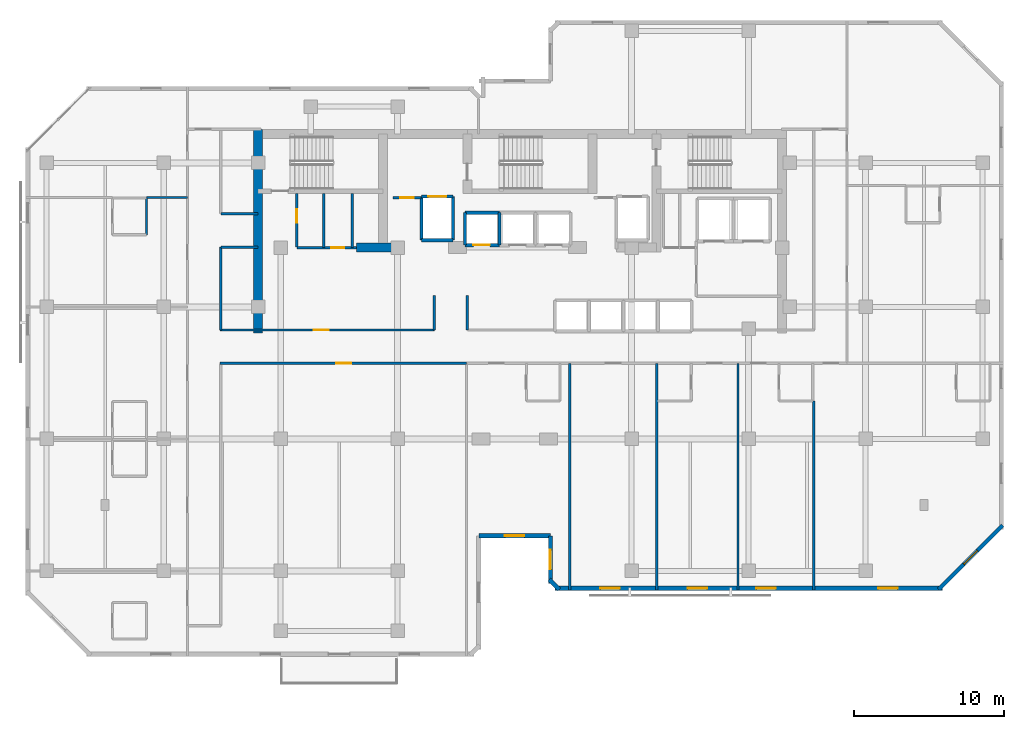
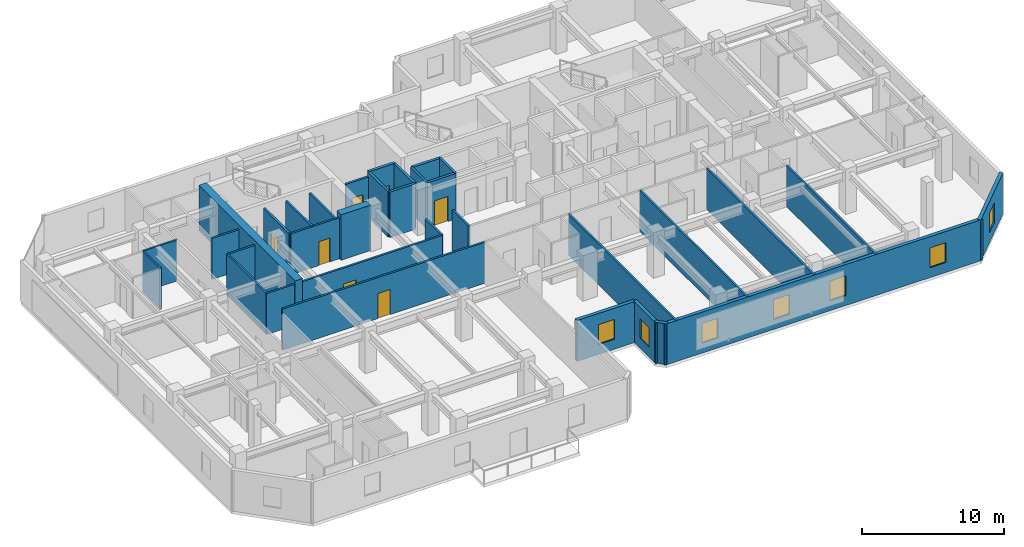
# One storey, part 5 of 10: 33 walls, 7 doors, 7 windows, 14 openings.
"""IFC4 building model written with IfcOpenShell, lengths in metres."""

from ifc_helpers import new_model, si_unit, direction, frame, frame_2d, origin, place, context, subcontext, project, spatial, rectangle, extrude, material, layer, layer_set, type_object, element, fill, save


model = new_model("IFC4")

# Units and contexts
model_context = context("Model", 3, precision=1e-05, world=origin(), true_north=direction((0.0, 1.0)))
body_context = subcontext(model_context, "Body", "Model", "MODEL_VIEW")
ifc_project = project(units=[si_unit("LENGTHUNIT", "METRE"), si_unit("AREAUNIT", "SQUARE_METRE"), si_unit("VOLUMEUNIT", "CUBIC_METRE"), si_unit("PLANEANGLEUNIT", "RADIAN"), si_unit("MASSUNIT", "GRAM", prefix="KILO")], contexts=[model_context])

# Site, building, storey
site_placement = place(None, origin())
site = spatial("IfcSite", under=ifc_project, at=site_placement, CompositionType="ELEMENT")
building_placement = place(site_placement, origin())
building = spatial("IfcBuilding", under=site, at=building_placement, Name="Kestravale Grand Hotel", CompositionType="ELEMENT")
storey_placement = place(building_placement, frame((0.0, 0.0, 236.5)))
storey = spatial("IfcBuildingStorey", under=building, at=storey_placement, Name="L59", CompositionType="ELEMENT", Elevation=236.5)

# Walls
ifc_material_1 = material(Name="Concrete f'c 50 MPa", Category="concrete")
ifc_layer_1 = layer(ifc_material_1, 0.60009765625)
ifc_layer_set_1 = layer_set([ifc_layer_1], Name="EW-CORE-600")
wall_type_1 = type_object("IfcWallType", Name="EW-CORE-600", PredefinedType="SHEAR", material=ifc_layer_set_1)
wall_1_placement = place(storey_placement, frame((21.89990234375, 27.050048828125, 0.0), z_axis=(0.0, 0.0, 1.0), x_axis=(0.0, 1.0, 0.0)))
element("IfcWall", 1, at=wall_1_placement, inside=storey, type_object=wall_type_1, Name="L59 core shear wall W1", PredefinedType="SHEAR", context=body_context, shape_type="SweptSolid", body=[
    extrude(rectangle(XDim=13.570068359375, YDim=0.60009765625, at=frame_2d((6.78515625, 0.0))), origin(), (0.0, 0.0, 1.0), 3.89990234375),
])
wall_2_placement = place(storey_placement, frame((28.449951171875, 32.75, 0.0), z_axis=(0.0, 0.0, 1.0), x_axis=(1.0, 0.0, 0.0)))
element("IfcWall", 2, at=wall_2_placement, inside=storey, type_object=wall_type_1, Name="L59 core shear wall S1", PredefinedType="SHEAR", context=body_context, shape_type="SweptSolid", body=[
    extrude(rectangle(XDim=2.400146484375, YDim=0.60009765625, at=frame_2d((1.2001953125, 0.0))), origin(), (0.0, 0.0, 1.0), 3.89990234375),
])

# Wall, opening, window
ifc_material_2 = material(Name="Precast concrete f'c 45 MPa", Category="concrete")
ifc_layer_2 = layer(ifc_material_2, 0.280029296875)
ifc_layer_set_2 = layer_set([ifc_layer_2], Name="EW-PREC-280")
wall_type_2 = type_object("IfcWallType", Name="EW-PREC-280", PredefinedType="SOLIDWALL", material=ifc_layer_set_2)
wall_3_placement = place(storey_placement, frame((36.610107421875, 13.5400390625, 0.0), z_axis=(0.0, 0.0, 1.0), x_axis=(1.0, 0.0, 0.0)))
wall_3 = element("IfcWall", 3, at=wall_3_placement, inside=storey, type_object=wall_type_2, Name="L59 fluted precast facade wall 4", PredefinedType="SOLIDWALL", context=body_context, shape_type="SweptSolid", body=[
    extrude(rectangle(XDim=4.77978515625, YDim=0.280029296875, at=frame_2d((2.389892578125, 0.0))), origin(), (0.0, 0.0, 1.0), 3.52001953125),
])
opening_1_placement = place(wall_3_placement, frame((1.739990234375, 0.0, 0.85009765625)))
opening_1 = element("IfcOpeningElement", 4, at=opening_1_placement, cuts=wall_3, Name="Opening W-GUEST-1300", PredefinedType="OPENING", context=body_context, shape_type="SweptSolid", body=[
    extrude(rectangle(XDim=1.300048828125, YDim=1.699951171875, at=frame_2d((0.64990234375, 0.85009765625))), frame((0.0, 0.14990234375, 0.0), z_axis=(0.0, -1.0, 0.0), x_axis=(1.0, 0.0, 0.0)), (0.0, 0.0, 1.0), 0.300048828125),
])
ifc_material_3 = material(Name="Insulated low-E double glazing in aluminium frame", Category="aluminium")
window_type = type_object("IfcWindowType", Name="W-GUEST-1300", PartitioningType="SINGLE_PANEL", PredefinedType="WINDOW", material=ifc_material_3)
window_1_placement = place(opening_1_placement, origin())
window_1 = element("IfcWindow", 5, at=window_1_placement, inside=storey, type_object=window_type, Name="L59 exterior window 4.1", OverallHeight=1.699951171875, OverallWidth=1.300048828125, PartitioningType="SINGLE_PANEL", PredefinedType="WINDOW", context=body_context, shape_type="SweptSolid", body=[
    extrude(rectangle(XDim=1.300048828125, YDim=1.699951171875, at=frame_2d((0.64990234375, 0.85009765625))), frame((0.0, 0.030029296875, 0.0), z_axis=(0.0, -1.0, 0.0), x_axis=(1.0, 0.0, 0.0)), (0.0, 0.0, 1.0), 0.06005859375),
])
fill(opening_1, window_1)

wall_4_placement = place(storey_placement, frame((41.389892578125, 13.5400390625, 0.0), z_axis=(0.0, 0.0, 1.0), x_axis=(0.0, -1.0, 0.0)))
wall_4 = element("IfcWall", 6, at=wall_4_placement, inside=storey, type_object=wall_type_2, Name="L59 fluted precast facade wall 5", PredefinedType="SOLIDWALL", context=body_context, shape_type="SweptSolid", body=[
    extrude(rectangle(XDim=3.179931640625, YDim=0.280029296875, at=frame_2d((1.58984375, 0.0))), origin(), (0.0, 0.0, 1.0), 3.52001953125),
])
opening_2_placement = place(wall_4_placement, frame((0.93994140625, 0.0, 0.85009765625)))
opening_2 = element("IfcOpeningElement", 7, at=opening_2_placement, cuts=wall_4, Name="Opening W-GUEST-1300", PredefinedType="OPENING", context=body_context, shape_type="SweptSolid", body=[
    extrude(rectangle(XDim=1.300048828125, YDim=1.699951171875, at=frame_2d((0.64990234375, 0.85009765625))), frame((0.0, 0.14990234375, 0.0), z_axis=(0.0, -1.0, 0.0), x_axis=(1.0, 0.0, 0.0)), (0.0, 0.0, 1.0), 0.300048828125),
])
window_2_placement = place(opening_2_placement, origin())
window_2 = element("IfcWindow", 8, at=window_2_placement, inside=storey, type_object=window_type, Name="L59 exterior window 5.1", OverallHeight=1.699951171875, OverallWidth=1.300048828125, PartitioningType="SINGLE_PANEL", PredefinedType="WINDOW", context=body_context, shape_type="SweptSolid", body=[
    extrude(rectangle(XDim=1.300048828125, YDim=1.699951171875, at=frame_2d((0.64990234375, 0.85009765625))), frame((0.0, 0.030029296875, 0.0), z_axis=(0.0, -1.0, 0.0), x_axis=(1.0, 0.0, 0.0)), (0.0, 0.0, 1.0), 0.06005859375),
])
fill(opening_2, window_2)

# Wall
wall_5_placement = place(storey_placement, frame((41.32080078125, 10.627197265625, 0.0), z_axis=(0.0, 0.0, 1.0), x_axis=(0.707106781187, -0.707106781187, 0.0)))
element("IfcWall", 9, at=wall_5_placement, inside=storey, type_object=wall_type_2, Name="L59 fluted precast facade wall 6", PredefinedType="SOLIDWALL", context=body_context, shape_type="SweptSolid", body=[
    extrude(rectangle(XDim=0.928466796875, YDim=0.280029296875, at=frame_2d((0.46435546875, 0.0))), origin(), (0.0, 0.0, 1.0), 3.52001953125),
])

# Wall, openings, windows
wall_6_placement = place(storey_placement, frame((41.7099609375, 10.0400390625, 0.0), z_axis=(0.0, 0.0, 1.0), x_axis=(1.0, 0.0, 0.0)))
wall_6 = element("IfcWall", 10, at=wall_6_placement, inside=storey, type_object=wall_type_2, Name="L59 fluted precast facade wall 7", PredefinedType="SOLIDWALL", context=body_context, shape_type="SweptSolid", body=[
    extrude(rectangle(XDim=25.830078125, YDim=0.280029296875, at=frame_2d((12.9150390625, 0.0))), origin(), (0.0, 0.0, 1.0), 3.52001953125),
])
opening_3_placement = place(wall_6_placement, frame((3.0048828125, 0.0, 0.85009765625)))
opening_3 = element("IfcOpeningElement", 11, at=opening_3_placement, cuts=wall_6, Name="Opening W-GUEST-1300", PredefinedType="OPENING", context=body_context, shape_type="SweptSolid", body=[
    extrude(rectangle(XDim=1.300048828125, YDim=1.699951171875, at=frame_2d((0.64990234375, 0.85009765625))), frame((0.0, 0.14990234375, 0.0), z_axis=(0.0, -1.0, 0.0), x_axis=(1.0, 0.0, 0.0)), (0.0, 0.0, 1.0), 0.300048828125),
])
opening_4_placement = place(wall_6_placement, frame((13.4150390625, 0.0, 0.85009765625)))
opening_4 = element("IfcOpeningElement", 12, at=opening_4_placement, cuts=wall_6, Name="Opening W-GUEST-1300", PredefinedType="OPENING", context=body_context, shape_type="SweptSolid", body=[
    extrude(rectangle(XDim=1.300048828125, YDim=1.699951171875, at=frame_2d((0.64990234375, 0.85009765625))), frame((0.0, 0.14990234375, 0.0), z_axis=(0.0, -1.0, 0.0), x_axis=(1.0, 0.0, 0.0)), (0.0, 0.0, 1.0), 0.300048828125),
])
opening_5_placement = place(wall_6_placement, frame((21.52490234375, 0.0, 0.85009765625)))
opening_5 = element("IfcOpeningElement", 13, at=opening_5_placement, cuts=wall_6, Name="Opening W-GUEST-1300", PredefinedType="OPENING", context=body_context, shape_type="SweptSolid", body=[
    extrude(rectangle(XDim=1.300048828125, YDim=1.699951171875, at=frame_2d((0.64990234375, 0.85009765625))), frame((0.0, 0.14990234375, 0.0), z_axis=(0.0, -1.0, 0.0), x_axis=(1.0, 0.0, 0.0)), (0.0, 0.0, 1.0), 0.300048828125),
])
opening_6_placement = place(wall_6_placement, frame((8.830078125, 0.0, 0.85009765625)))
opening_6 = element("IfcOpeningElement", 14, at=opening_6_placement, cuts=wall_6, Name="Opening W-GUEST-1300", PredefinedType="OPENING", context=body_context, shape_type="SweptSolid", body=[
    extrude(rectangle(XDim=1.300048828125, YDim=1.699951171875, at=frame_2d((0.64990234375, 0.85009765625))), frame((0.0, 0.14990234375, 0.0), z_axis=(0.0, -1.0, 0.0), x_axis=(1.0, 0.0, 0.0)), (0.0, 0.0, 1.0), 0.300048828125),
])
window_3_placement = place(opening_3_placement, origin())
window_3 = element("IfcWindow", 15, at=window_3_placement, inside=storey, type_object=window_type, Name="L59 exterior window 7.1", OverallHeight=1.699951171875, OverallWidth=1.300048828125, PartitioningType="SINGLE_PANEL", PredefinedType="WINDOW", context=body_context, shape_type="SweptSolid", body=[
    extrude(rectangle(XDim=1.300048828125, YDim=1.699951171875, at=frame_2d((0.64990234375, 0.85009765625))), frame((0.0, 0.030029296875, 0.0), z_axis=(0.0, -1.0, 0.0), x_axis=(1.0, 0.0, 0.0)), (0.0, 0.0, 1.0), 0.06005859375),
])
fill(opening_3, window_3)
window_4_placement = place(opening_4_placement, origin())
window_4 = element("IfcWindow", 16, at=window_4_placement, inside=storey, type_object=window_type, Name="L59 exterior window 7.2", OverallHeight=1.699951171875, OverallWidth=1.300048828125, PartitioningType="SINGLE_PANEL", PredefinedType="WINDOW", context=body_context, shape_type="SweptSolid", body=[
    extrude(rectangle(XDim=1.300048828125, YDim=1.699951171875, at=frame_2d((0.64990234375, 0.85009765625))), frame((0.0, 0.030029296875, 0.0), z_axis=(0.0, -1.0, 0.0), x_axis=(1.0, 0.0, 0.0)), (0.0, 0.0, 1.0), 0.06005859375),
])
fill(opening_4, window_4)
window_5_placement = place(opening_5_placement, origin())
window_5 = element("IfcWindow", 17, at=window_5_placement, inside=storey, type_object=window_type, Name="L59 exterior window 7.3", OverallHeight=1.699951171875, OverallWidth=1.300048828125, PartitioningType="SINGLE_PANEL", PredefinedType="WINDOW", context=body_context, shape_type="SweptSolid", body=[
    extrude(rectangle(XDim=1.300048828125, YDim=1.699951171875, at=frame_2d((0.64990234375, 0.85009765625))), frame((0.0, 0.030029296875, 0.0), z_axis=(0.0, -1.0, 0.0), x_axis=(1.0, 0.0, 0.0)), (0.0, 0.0, 1.0), 0.06005859375),
])
fill(opening_5, window_5)
window_6_placement = place(opening_6_placement, origin())
window_6 = element("IfcWindow", 18, at=window_6_placement, inside=storey, type_object=window_type, Name="L59 guestroom envelope window 1", OverallHeight=1.699951171875, OverallWidth=1.300048828125, PartitioningType="SINGLE_PANEL", PredefinedType="WINDOW", context=body_context, shape_type="SweptSolid", body=[
    extrude(rectangle(XDim=1.300048828125, YDim=1.699951171875, at=frame_2d((0.64990234375, 0.85009765625))), frame((0.0, 0.030029296875, 0.0), z_axis=(0.0, -1.0, 0.0), x_axis=(1.0, 0.0, 0.0)), (0.0, 0.0, 1.0), 0.06005859375),
])
fill(opening_6, window_6)

# Wall, opening, window
wall_7_placement = place(storey_placement, frame((67.272705078125, 9.970703125, 0.0), z_axis=(0.0, 0.0, 1.0), x_axis=(0.707106781187, 0.707106781187, 0.0)))
wall_7 = element("IfcWall", 19, at=wall_7_placement, inside=storey, type_object=wall_type_2, Name="L59 fluted precast facade wall 8", PredefinedType="SOLIDWALL", context=body_context, shape_type="SweptSolid", body=[
    extrude(rectangle(XDim=6.019775390625, YDim=0.280029296875, at=frame_2d((3.009765625, 0.0))), origin(), (0.0, 0.0, 1.0), 3.52001953125),
])
opening_7_placement = place(wall_7_placement, frame((2.35986328125, 0.0, 0.85009765625)))
opening_7 = element("IfcOpeningElement", 20, at=opening_7_placement, cuts=wall_7, Name="Opening W-GUEST-1300", PredefinedType="OPENING", context=body_context, shape_type="SweptSolid", body=[
    extrude(rectangle(XDim=1.300048828125, YDim=1.699951171875, at=frame_2d((0.64990234375, 0.85009765625))), frame((0.0, 0.14990234375, 0.0), z_axis=(0.0, -1.0, 0.0), x_axis=(1.0, 0.0, 0.0)), (0.0, 0.0, 1.0), 0.300048828125),
])
window_7_placement = place(opening_7_placement, origin())
window_7 = element("IfcWindow", 21, at=window_7_placement, inside=storey, type_object=window_type, Name="L59 exterior window 8.1", OverallHeight=1.699951171875, OverallWidth=1.300048828125, PartitioningType="SINGLE_PANEL", PredefinedType="WINDOW", context=body_context, shape_type="SweptSolid", body=[
    extrude(rectangle(XDim=1.300048828125, YDim=1.699951171875, at=frame_2d((0.64990234375, 0.85009765625))), frame((0.0, 0.030029296875, 0.0), z_axis=(0.0, -1.0, 0.0), x_axis=(1.0, 0.0, 0.0)), (0.0, 0.0, 1.0), 0.06005859375),
])
fill(opening_7, window_7)

# Wall, opening, door
ifc_material_4 = material(Name="Acoustic fire-rated gypsum board partition", Category="other")
ifc_layer_3 = layer(ifc_material_4, 0.159912109375)
ifc_layer_set_3 = layer_set([ifc_layer_3], Name="IW-CORR-160")
wall_type_3 = type_object("IfcWallType", Name="IW-CORR-160", PredefinedType="PARTITIONING", material=ifc_layer_set_3)
wall_8_placement = place(storey_placement, frame((24.47998046875, 32.800048828125, 0.0), z_axis=(0.0, 0.0, 1.0), x_axis=(0.0, 1.0, 0.0)))
wall_8 = element("IfcWall", 22, at=wall_8_placement, inside=storey, type_object=wall_type_3, Name="L59 west core vestibule wall", PredefinedType="PARTITIONING", context=body_context, shape_type="SweptSolid", body=[
    extrude(rectangle(XDim=3.570068359375, YDim=0.159912109375, at=frame_2d((1.78515625, 0.0))), origin(), (0.0, 0.0, 1.0), 3.52001953125),
])
opening_8_placement = place(wall_8_placement, frame((1.603515625, 0.0, 0.0)))
opening_8 = element("IfcOpeningElement", 23, at=opening_8_placement, cuts=wall_8, Name="Opening D-SH-900", PredefinedType="OPENING", context=body_context, shape_type="SweptSolid", body=[
    extrude(rectangle(XDim=0.89990234375, YDim=2.10009765625, at=frame_2d((0.449951171875, 1.050048828125))), frame((0.0, 0.08984375, 0.0), z_axis=(0.0, -1.0, 0.0), x_axis=(1.0, 0.0, 0.0)), (0.0, 0.0, 1.0), 0.179931640625),
])
ifc_material_5 = material(Name="Galvanised 90-minute shaft and service fire door", Category="steel")
door_type_1 = type_object("IfcDoorType", Name="D-SH-900", OperationType="NOTDEFINED", PredefinedType="DOOR", material=ifc_material_5)
door_1_placement = place(opening_8_placement, origin())
door_1 = element("IfcDoor", 24, at=door_1_placement, inside=storey, type_object=door_type_1, Name="D-L59-HK", OperationType="SINGLE_SWING_RIGHT", OverallHeight=2.10009765625, OverallWidth=0.89990234375, PredefinedType="DOOR", context=body_context, shape_type="SweptSolid", body=[
    extrude(rectangle(XDim=0.89990234375, YDim=2.10009765625, at=frame_2d((0.449951171875, 1.050048828125))), frame((0.0, 0.02490234375, 0.0), z_axis=(0.0, -1.0, 0.0), x_axis=(1.0, 0.0, 0.0)), (0.0, 0.0, 1.0), 0.050048828125),
])
fill(opening_8, door_1)

wall_9_placement = place(storey_placement, frame((24.47998046875, 32.75, 0.0), z_axis=(0.0, 0.0, 1.0), x_axis=(1.0, 0.0, 0.0)))
wall_9 = element("IfcWall", 25, at=wall_9_placement, inside=storey, type_object=wall_type_3, Name="W-L59-CWS", PredefinedType="PARTITIONING", context=body_context, shape_type="SweptSolid", body=[
    extrude(rectangle(XDim=3.969970703125, YDim=0.159912109375, at=frame_2d((1.98486328125, 0.0))), origin(), (0.0, 0.0, 1.0), 3.52001953125),
])
opening_9_placement = place(wall_9_placement, frame((2.31005859375, 0.0, 0.0)))
opening_9 = element("IfcOpeningElement", 26, at=opening_9_placement, cuts=wall_9, Name="Opening D-SH-860", PredefinedType="OPENING", context=body_context, shape_type="SweptSolid", body=[
    extrude(rectangle(XDim=0.860107421875, YDim=2.050048828125, at=frame_2d((0.43017578125, 1.02490234375))), frame((0.0, 0.08984375, 0.0), z_axis=(0.0, -1.0, 0.0), x_axis=(1.0, 0.0, 0.0)), (0.0, 0.0, 1.0), 0.179931640625),
])
ifc_material_6 = material(Name="Galvanised 90-minute riser fire door", Category="steel")
door_type_2 = type_object("IfcDoorType", Name="D-SH-860", OperationType="NOTDEFINED", PredefinedType="DOOR", material=ifc_material_6)
door_2_placement = place(opening_9_placement, origin())
door_2 = element("IfcDoor", 27, at=door_2_placement, inside=storey, type_object=door_type_2, Name="D-L59-IDF", OperationType="SINGLE_SWING_RIGHT", OverallHeight=2.050048828125, OverallWidth=0.860107421875, PredefinedType="DOOR", context=body_context, shape_type="SweptSolid", body=[
    extrude(rectangle(XDim=0.860107421875, YDim=2.050048828125, at=frame_2d((0.43017578125, 1.02490234375))), frame((0.0, 0.02490234375, 0.0), z_axis=(0.0, -1.0, 0.0), x_axis=(1.0, 0.0, 0.0)), (0.0, 0.0, 1.0), 0.050048828125),
])
fill(opening_9, door_2)

wall_10_placement = place(storey_placement, frame((19.35009765625, 27.260009765625, 0.0), z_axis=(0.0, 0.0, 1.0), x_axis=(1.0, 0.0, 0.0)))
wall_10 = element("IfcWall", 28, at=wall_10_placement, inside=storey, type_object=wall_type_3, Name="W-L59-CW-N", PredefinedType="PARTITIONING", context=body_context, shape_type="SweptSolid", body=[
    extrude(rectangle(XDim=14.2998046875, YDim=0.159912109375, at=frame_2d((7.14990234375, 0.0))), origin(), (0.0, 0.0, 1.0), 3.52001953125),
])
opening_10_placement = place(wall_10_placement, frame((6.25, 0.0, 0.0)))
opening_10 = element("IfcOpeningElement", 29, at=opening_10_placement, cuts=wall_10, Name="Opening D-GUEST-1000", PredefinedType="OPENING", context=body_context, shape_type="SweptSolid", body=[
    extrude(rectangle(XDim=1.0, YDim=2.14990234375, at=frame_2d((0.5, 1.074951171875))), frame((0.0, 0.08984375, 0.0), z_axis=(0.0, -1.0, 0.0), x_axis=(1.0, 0.0, 0.0)), (0.0, 0.0, 1.0), 0.179931640625),
])
ifc_material_7 = material(Name="Accessible walnut veneer hotel entrance fire door", Category="wood")
door_type_3 = type_object("IfcDoorType", Name="D-GUEST-1000", OperationType="NOTDEFINED", PredefinedType="DOOR", material=ifc_material_7)
door_3_placement = place(opening_10_placement, origin())
door_3 = element("IfcDoor", 30, at=door_3_placement, inside=storey, type_object=door_type_3, Name="D-L59-RECL-W", OperationType="SINGLE_SWING_LEFT", OverallHeight=2.14990234375, OverallWidth=1.0, PredefinedType="DOOR", context=body_context, shape_type="SweptSolid", body=[
    extrude(rectangle(XDim=1.0, YDim=2.14990234375, at=frame_2d((0.5, 1.074951171875))), frame((0.0, 0.02490234375, 0.0), z_axis=(0.0, -1.0, 0.0), x_axis=(1.0, 0.0, 0.0)), (0.0, 0.0, 1.0), 0.050048828125),
])
fill(opening_10, door_3)

# Walls
for number, where, z_axis, x_axis, name in (
    (31, (33.64990234375, 27.260009765625, 0.0), (0.0, 0.0, 1.0), (0.0, 1.0, 0.0), "W-L59-TRUNK-W"),
    (32, (35.85009765625, 27.260009765625, 0.0), (0.0, 0.0, 1.0), (0.0, 1.0, 0.0), "W-L59-TRUNK-E"),
):
    element("IfcWall", number, at=place(storey_placement, frame(where, z_axis=z_axis, x_axis=x_axis)), inside=storey, type_object=wall_type_3, Name=name, PredefinedType="PARTITIONING", context=body_context, shape_type="SweptSolid", body=[
        extrude(rectangle(XDim=2.2900390625, YDim=0.159912109375, at=frame_2d((1.14501953125, 0.0))), origin(), (0.0, 0.0, 1.0), 3.52001953125),
    ])

# Wall, opening, door
wall_11_placement = place(storey_placement, frame((19.35009765625, 25.0400390625, 0.0), z_axis=(0.0, 0.0, 1.0), x_axis=(1.0, 0.0, 0.0)))
wall_11 = element("IfcWall", 33, at=wall_11_placement, inside=storey, type_object=wall_type_3, Name="W-L59-CW-S", PredefinedType="PARTITIONING", context=body_context, shape_type="SweptSolid", body=[
    extrude(rectangle(XDim=16.449951171875, YDim=0.159912109375, at=frame_2d((8.22509765625, 0.0))), origin(), (0.0, 0.0, 1.0), 3.52001953125),
])
opening_11_placement = place(wall_11_placement, frame((7.7548828125, 0.0, 0.0)))
opening_11 = element("IfcOpeningElement", 34, at=opening_11_placement, cuts=wall_11, Name="Opening D-GUEST-1000", PredefinedType="OPENING", context=body_context, shape_type="SweptSolid", body=[
    extrude(rectangle(XDim=1.0, YDim=2.14990234375, at=frame_2d((0.5, 1.074951171875))), frame((0.0, 0.08984375, 0.0), z_axis=(0.0, -1.0, 0.0), x_axis=(1.0, 0.0, 0.0)), (0.0, 0.0, 1.0), 0.179931640625),
])
door_4_placement = place(opening_11_placement, origin())
door_4 = element("IfcDoor", 35, at=door_4_placement, inside=storey, type_object=door_type_3, Name="D-L59-AMW", OperationType="SINGLE_SWING_RIGHT", OverallHeight=2.14990234375, OverallWidth=1.0, PredefinedType="DOOR", context=body_context, shape_type="SweptSolid", body=[
    extrude(rectangle(XDim=1.0, YDim=2.14990234375, at=frame_2d((0.5, 1.074951171875))), frame((0.0, 0.02490234375, 0.0), z_axis=(0.0, -1.0, 0.0), x_axis=(1.0, 0.0, 0.0)), (0.0, 0.0, 1.0), 0.050048828125),
])
fill(opening_11, door_4)

# Walls
for number, where, z_axis, x_axis, name in (
    (36, (19.409912109375, 35.02001953125, 0.0), (0.0, 0.0, 1.0), (1.0, 0.0, 0.0), "W-L59-SW-CN"),
    (37, (19.409912109375, 32.780029296875, 0.0), (0.0, 0.0, 1.0), (1.0, 0.0, 0.0), "W-L59-SW-CS"),
):
    element("IfcWall", number, at=place(storey_placement, frame(where, z_axis=z_axis, x_axis=x_axis)), inside=storey, type_object=wall_type_3, Name=name, PredefinedType="PARTITIONING", context=body_context, shape_type="SweptSolid", body=[
        extrude(rectangle(XDim=2.489990234375, YDim=0.159912109375, at=frame_2d((1.2451171875, 0.0))), origin(), (0.0, 0.0, 1.0), 3.52001953125),
    ])

# Wall, opening, door
ifc_material_8 = material(Name="Fire-rated gypsum board on steel studs with mineral wool", Category="steel")
ifc_layer_4 = layer(ifc_material_8, 0.179931640625)
ifc_layer_set_4 = layer_set([ifc_layer_4], Name="IW-FSAE-180")
wall_type_4 = type_object("IfcWallType", Name="IW-FSAE-180", PredefinedType="PARTITIONING", material=ifc_layer_set_4)
wall_12_placement = place(storey_placement, frame((30.89990234375, 36.080078125, 0.0), z_axis=(0.0, 0.0, 1.0), x_axis=(1.0, 0.0, 0.0)))
wall_12 = element("IfcWall", 38, at=wall_12_placement, inside=storey, type_object=wall_type_4, Name="L59 FSAE Lobby 1 smoke barrier", PredefinedType="PARTITIONING", context=body_context, shape_type="SweptSolid", body=[
    extrude(rectangle(XDim=1.85009765625, YDim=0.179931640625, at=frame_2d((0.925048828125, 0.0))), origin(), (0.0, 0.0, 1.0), 3.52001953125),
])
opening_12_placement = place(wall_12_placement, frame((0.47998046875, 0.0, 0.0)))
opening_12 = element("IfcOpeningElement", 39, at=opening_12_placement, cuts=wall_12, Name="Opening D-FSAE-1000", PredefinedType="OPENING", context=body_context, shape_type="SweptSolid", body=[
    extrude(rectangle(XDim=0.89990234375, YDim=2.14990234375, at=frame_2d((0.449951171875, 1.074951171875))), frame((0.0, 0.099853515625, 0.0), z_axis=(0.0, -1.0, 0.0), x_axis=(1.0, 0.0, 0.0)), (0.0, 0.0, 1.0), 0.199951171875),
])
ifc_material_9 = material(Name="Smoke-gasketed FSAE lobby fire door", Category="steel")
door_type_4 = type_object("IfcDoorType", Name="D-FSAE-1000", OperationType="NOTDEFINED", PredefinedType="DOOR", material=ifc_material_9)
door_5_placement = place(opening_12_placement, origin())
door_5 = element("IfcDoor", 40, at=door_5_placement, inside=storey, type_object=door_type_4, Name="L59 FSAE Lobby 1 fire door", OperationType="SINGLE_SWING_RIGHT", OverallHeight=2.14990234375, OverallWidth=0.89990234375, PredefinedType="DOOR", context=body_context, shape_type="SweptSolid", body=[
    extrude(rectangle(XDim=0.89990234375, YDim=2.14990234375, at=frame_2d((0.449951171875, 1.074951171875))), frame((0.0, 0.02490234375, 0.0), z_axis=(0.0, -1.0, 0.0), x_axis=(1.0, 0.0, 0.0)), (0.0, 0.0, 1.0), 0.050048828125),
])
fill(opening_12, door_5)

# Walls
ifc_material_10 = material(Name="Moisture-resistant tile-backer plumbing chase wall", Category="other")
ifc_layer_5 = layer(ifc_material_10, 0.139892578125)
ifc_layer_set_5 = layer_set([ifc_layer_5], Name="IW-PLB-140")
wall_type_5 = type_object("IfcWallType", Name="IW-PLB-140", PredefinedType="PLUMBINGWALL", material=ifc_layer_set_5)
wall_13_placement = place(storey_placement, frame((14.449951171875, 33.610107421875, 0.0), z_axis=(0.0, 0.0, 1.0), x_axis=(0.0, 1.0, 0.0)))
element("IfcWall", 41, at=wall_13_placement, inside=storey, type_object=wall_type_5, Name="W-L59-U07-BE", PredefinedType="PLUMBINGWALL", context=body_context, shape_type="SweptSolid", body=[
    extrude(rectangle(XDim=2.449951171875, YDim=0.139892578125, at=frame_2d((1.22509765625, 0.0))), origin(), (0.0, 0.0, 1.0), 3.52001953125),
])
ifc_material_11 = material(Name="Concrete f'c 45 MPa", Category="concrete")
ifc_layer_6 = layer(ifc_material_11, 0.199951171875)
ifc_layer_set_6 = layer_set([ifc_layer_6], Name="IW-SHAFT-200")
wall_type_6 = type_object("IfcWallType", Name="IW-SHAFT-200", PredefinedType="SHEAR", material=ifc_layer_set_6)
for number, where, z_axis, x_axis, name in (
    (42, (35.679931640625, 32.919921875, 0.0), (0.0, 0.0, 1.0), (0.0, 1.0, 0.0), "L59 PL-X1 west shaft wall"),
    (43, (38.0, 32.919921875, 0.0), (0.0, 0.0, 1.0), (0.0, 1.0, 0.0), "L59 PL-X2 west shaft wall"),
):
    element("IfcWall", number, at=place(storey_placement, frame(where, z_axis=z_axis, x_axis=x_axis)), inside=storey, type_object=wall_type_6, Name=name, PredefinedType="SHEAR", context=body_context, shape_type="SweptSolid", body=[
        extrude(rectangle(XDim=2.16015625, YDim=0.199951171875, at=frame_2d((1.080078125, 0.0))), origin(), (0.0, 0.0, 1.0), 3.89990234375),
    ])
for number, where, z_axis, x_axis, name in (
    (44, (32.804931640625, 33.2451171875, 0.0), (0.0, 0.0, 1.0), (0.0, 1.0, 0.0), "L59 FL-1 west shaft wall"),
    (45, (34.89501953125, 33.2451171875, 0.0), (0.0, 0.0, 1.0), (0.0, 1.0, 0.0), "L59 FL-1 east shaft wall"),
):
    element("IfcWall", number, at=place(storey_placement, frame(where, z_axis=z_axis, x_axis=x_axis)), inside=storey, type_object=wall_type_6, Name=name, PredefinedType="SHEAR", context=body_context, shape_type="SweptSolid", body=[
        extrude(rectangle(XDim=2.909912109375, YDim=0.199951171875, at=frame_2d((1.455078125, 0.0))), origin(), (0.0, 0.0, 1.0), 3.89990234375),
    ])
ifc_material_12 = material(Name="Concrete f'c 45 MPa", Category="concrete")
ifc_layer_7 = layer(ifc_material_12, 0.219970703125)
ifc_layer_set_7 = layer_set([ifc_layer_7], Name="IW-SHAFT-220")
wall_type_7 = type_object("IfcWallType", Name="IW-SHAFT-220", PredefinedType="SHEAR", material=ifc_layer_set_7)
wall_14_placement = place(storey_placement, frame((35.679931640625, 35.080078125, 0.0), z_axis=(0.0, 0.0, 1.0), x_axis=(1.0, 0.0, 0.0)))
element("IfcWall", 46, at=wall_14_placement, inside=storey, type_object=wall_type_7, Name="L59 PL-X1 north shaft wall", PredefinedType="SHEAR", context=body_context, shape_type="SweptSolid", body=[
    extrude(rectangle(XDim=2.320068359375, YDim=0.219970703125, at=frame_2d((1.16015625, 0.0))), origin(), (0.0, 0.0, 1.0), 3.89990234375),
])

# Wall, opening, door
wall_15_placement = place(storey_placement, frame((35.679931640625, 32.919921875, 0.0), z_axis=(0.0, 0.0, 1.0), x_axis=(1.0, 0.0, 0.0)))
wall_15 = element("IfcWall", 47, at=wall_15_placement, inside=storey, type_object=wall_type_7, Name="L59 PL-X1 south shaft wall", PredefinedType="SHEAR", context=body_context, shape_type="SweptSolid", body=[
    extrude(rectangle(XDim=2.320068359375, YDim=0.219970703125, at=frame_2d((1.16015625, 0.0))), origin(), (0.0, 0.0, 1.0), 3.89990234375),
])
opening_13_placement = place(wall_15_placement, frame((0.570068359375, 0.0, 0.0)))
opening_13 = element("IfcOpeningElement", 48, at=opening_13_placement, cuts=wall_15, Name="Opening LD-PAX-1100", PredefinedType="OPENING", context=body_context, shape_type="SweptSolid", body=[
    extrude(rectangle(XDim=1.10009765625, YDim=2.14990234375, at=frame_2d((0.550048828125, 1.074951171875))), frame((0.0, 0.119873046875, 0.0), z_axis=(0.0, -1.0, 0.0), x_axis=(1.0, 0.0, 0.0)), (0.0, 0.0, 1.0), 0.239990234375),
])
ifc_material_13 = material(Name="Champagne-bronze center-opening sliding elevator landing door", Category="steel")
door_type_5 = type_object("IfcDoorType", Name="LD-PAX-1100", OperationType="NOTDEFINED", PredefinedType="DOOR", material=ifc_material_13)
door_6_placement = place(opening_13_placement, origin())
door_6 = element("IfcDoor", 49, at=door_6_placement, inside=storey, type_object=door_type_5, Name="L59 PL-X1 elevator landing sliding door", OperationType="DOUBLE_DOOR_SLIDING", OverallHeight=2.14990234375, OverallWidth=1.10009765625, PredefinedType="DOOR", context=body_context, shape_type="SweptSolid", body=[
    extrude(rectangle(XDim=1.10009765625, YDim=2.14990234375, at=frame_2d((0.550048828125, 1.074951171875))), frame((0.0, 0.02490234375, 0.0), z_axis=(0.0, -1.0, 0.0), x_axis=(1.0, 0.0, 0.0)), (0.0, 0.0, 1.0), 0.050048828125),
])
fill(opening_13, door_6)

wall_16_placement = place(storey_placement, frame((32.804931640625, 36.155029296875, 0.0), z_axis=(0.0, 0.0, 1.0), x_axis=(1.0, 0.0, 0.0)))
wall_16 = element("IfcWall", 50, at=wall_16_placement, inside=storey, type_object=wall_type_7, Name="L59 FL-1 north shaft wall", PredefinedType="SHEAR", context=body_context, shape_type="SweptSolid", body=[
    extrude(rectangle(XDim=2.090087890625, YDim=0.219970703125, at=frame_2d((1.044921875, 0.0))), origin(), (0.0, 0.0, 1.0), 3.89990234375),
])
opening_14_placement = place(wall_16_placement, frame((0.445068359375, 0.0, 0.0)))
opening_14 = element("IfcOpeningElement", 51, at=opening_14_placement, cuts=wall_16, Name="Opening LD-FSAE-1200", PredefinedType="OPENING", context=body_context, shape_type="SweptSolid", body=[
    extrude(rectangle(XDim=1.199951171875, YDim=2.14990234375, at=frame_2d((0.60009765625, 1.074951171875))), frame((0.0, 0.119873046875, 0.0), z_axis=(0.0, -1.0, 0.0), x_axis=(1.0, 0.0, 0.0)), (0.0, 0.0, 1.0), 0.239990234375),
])
ifc_material_14 = material(Name="Stainless fire-service sliding elevator landing door", Category="steel")
door_type_6 = type_object("IfcDoorType", Name="LD-FSAE-1200", OperationType="NOTDEFINED", PredefinedType="DOOR", material=ifc_material_14)
door_7_placement = place(opening_14_placement, origin())
door_7 = element("IfcDoor", 52, at=door_7_placement, inside=storey, type_object=door_type_6, Name="L59 FL-1 elevator landing sliding door", OperationType="DOUBLE_DOOR_SLIDING", OverallHeight=2.14990234375, OverallWidth=1.199951171875, PredefinedType="DOOR", context=body_context, shape_type="SweptSolid", body=[
    extrude(rectangle(XDim=1.199951171875, YDim=2.14990234375, at=frame_2d((0.60009765625, 1.074951171875))), frame((0.0, 0.02490234375, 0.0), z_axis=(0.0, -1.0, 0.0), x_axis=(1.0, 0.0, 0.0)), (0.0, 0.0, 1.0), 0.050048828125),
])
fill(opening_14, door_7)

# Walls
wall_17_placement = place(storey_placement, frame((32.804931640625, 33.2451171875, 0.0), z_axis=(0.0, 0.0, 1.0), x_axis=(1.0, 0.0, 0.0)))
element("IfcWall", 53, at=wall_17_placement, inside=storey, type_object=wall_type_7, Name="L59 FL-1 south shaft wall", PredefinedType="SHEAR", context=body_context, shape_type="SweptSolid", body=[
    extrude(rectangle(XDim=2.090087890625, YDim=0.219970703125, at=frame_2d((1.044921875, 0.0))), origin(), (0.0, 0.0, 1.0), 3.89990234375),
])
ifc_material_15 = material(Name="Double-stud STC 52 acoustic demising partition", Category="other")
ifc_layer_8 = layer(ifc_material_15, 0.14990234375)
ifc_layer_set_8 = layer_set([ifc_layer_8], Name="IW-UNIT-150")
wall_type_8 = type_object("IfcWallType", Name="IW-UNIT-150", PredefinedType="PARTITIONING", material=ifc_layer_set_8)
for number, where, z_axis, x_axis, name in (
    (54, (26.280029296875, 32.75, 0.0), (0.0, 0.0, 1.0), (0.0, 1.0, 0.0), "W-L59-CC1-1"),
    (55, (28.179931640625, 32.75, 0.0), (0.0, 0.0, 1.0), (0.0, 1.0, 0.0), "W-L59-CC1-2"),
):
    element("IfcWall", number, at=place(storey_placement, frame(where, z_axis=z_axis, x_axis=x_axis)), inside=storey, type_object=wall_type_8, Name=name, PredefinedType="PARTITIONING", context=body_context, shape_type="SweptSolid", body=[
        extrude(rectangle(XDim=3.6201171875, YDim=0.14990234375, at=frame_2d((1.81005859375, 0.0))), origin(), (0.0, 0.0, 1.0), 3.52001953125),
    ])
wall_18_placement = place(storey_placement, frame((19.409912109375, 27.260009765625, 0.0), z_axis=(0.0, 0.0, 1.0), x_axis=(0.0, 1.0, 0.0)))
element("IfcWall", 56, at=wall_18_placement, inside=storey, type_object=wall_type_8, Name="W-L59-RCLW-W", PredefinedType="PARTITIONING", context=body_context, shape_type="SweptSolid", body=[
    extrude(rectangle(XDim=5.5400390625, YDim=0.14990234375, at=frame_2d((2.77001953125, 0.0))), origin(), (0.0, 0.0, 1.0), 3.52001953125),
])
for number, where, z_axis, x_axis, name in (
    (57, (42.68505859375, 9.919921875, 0.0), (0.0, 0.0, 1.0), (0.0, 1.0, 0.0), "W-L59-ES-1"),
    (58, (48.469970703125, 9.919921875, 0.0), (0.0, 0.0, 1.0), (0.0, 1.0, 0.0), "W-L59-ES-2"),
    (59, (53.889892578125, 9.919921875, 0.0), (0.0, 0.0, 1.0), (0.0, 1.0, 0.0), "W-L59-ES-3"),
):
    element("IfcWall", number, at=place(storey_placement, frame(where, z_axis=z_axis, x_axis=x_axis)), inside=storey, type_object=wall_type_8, Name=name, PredefinedType="PARTITIONING", context=body_context, shape_type="SweptSolid", body=[
        extrude(rectangle(XDim=15.1201171875, YDim=0.14990234375, at=frame_2d((7.56005859375, 0.0))), origin(), (0.0, 0.0, 1.0), 3.52001953125),
    ])
wall_19_placement = place(storey_placement, frame((14.449951171875, 36.10009765625, 0.0), z_axis=(0.0, 0.0, 1.0), x_axis=(1.0, 0.0, 0.0)))
element("IfcWall", 60, at=wall_19_placement, inside=storey, type_object=wall_type_8, Name="W-L59-WW-4", PredefinedType="PARTITIONING", context=body_context, shape_type="SweptSolid", body=[
    extrude(rectangle(XDim=2.739990234375, YDim=0.14990234375, at=frame_2d((1.3701171875, 0.0))), origin(), (0.0, 0.0, 1.0), 3.52001953125),
])
wall_20_placement = place(storey_placement, frame((58.93994140625, 9.919921875, 0.0), z_axis=(0.0, 0.0, 1.0), x_axis=(0.0, 1.0, 0.0)))
element("IfcWall", 61, at=wall_20_placement, inside=storey, type_object=wall_type_8, Name="W-L59-SEC-W", PredefinedType="PARTITIONING", context=body_context, shape_type="SweptSolid", body=[
    extrude(rectangle(XDim=12.610107421875, YDim=0.14990234375, at=frame_2d((6.30517578125, 0.0))), origin(), (0.0, 0.0, 1.0), 3.52001953125),
])

save(model, "model.ifc")
